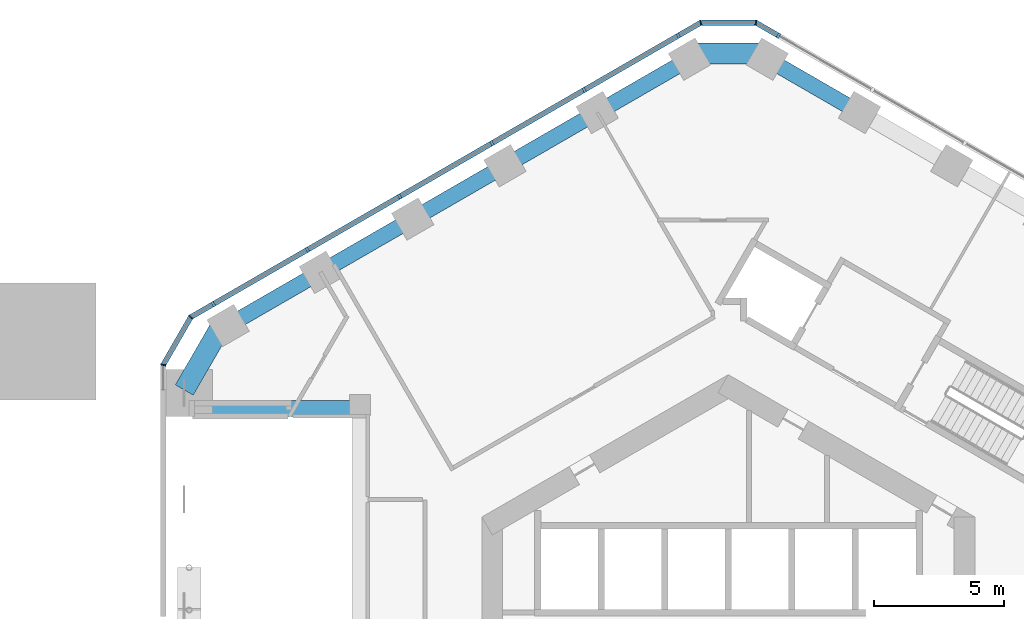
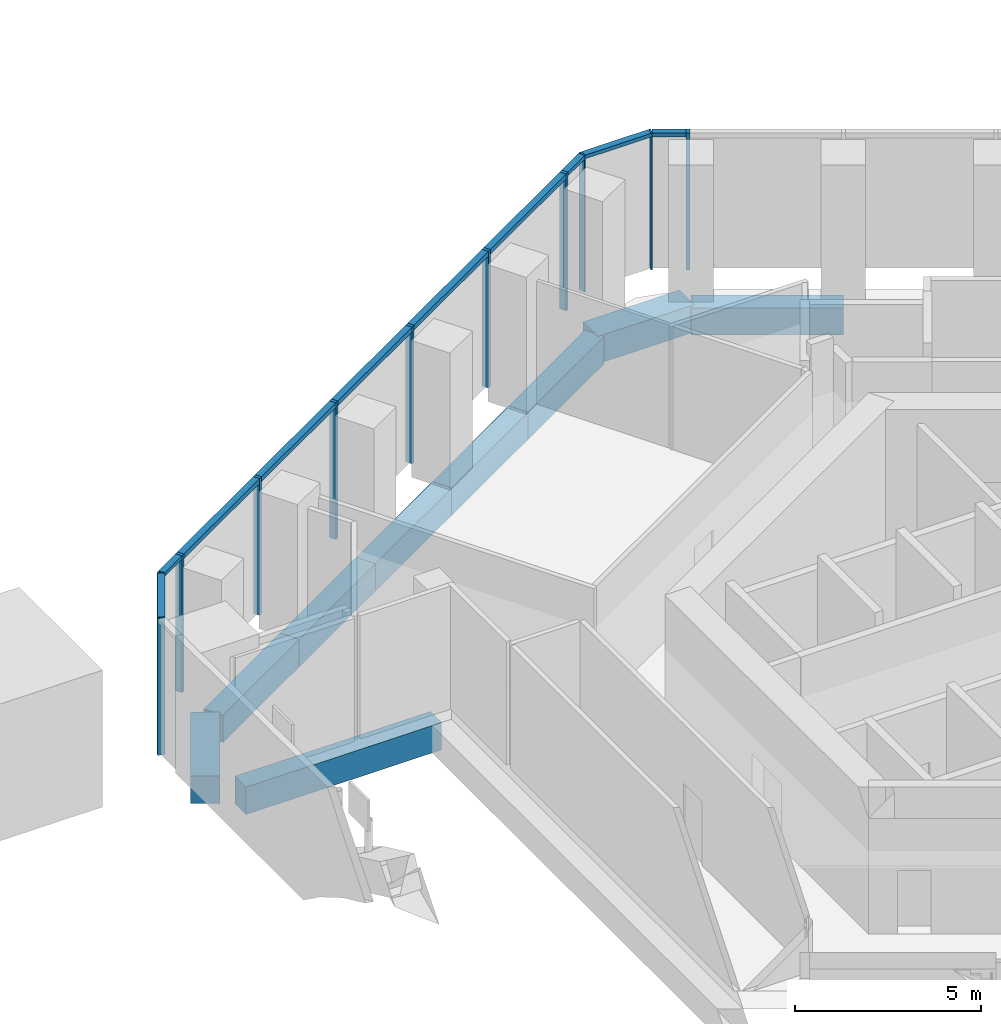
# One storey, part 6 of 14: 17 members, 9 beams, 4 elements without a shape of their own.
"""IFC4 building model written with IfcOpenShell, lengths in metres."""

from ifc_helpers import new_model, si_unit, direction, frame, origin, origin_2d, place, context, subcontext, project, spatial, rectangle, extrude, material, layer, layer_set, material_profile, profile_set, type_object, element, aggregate, save


model = new_model("IFC4")

# Units and contexts
model_context = context("Model", 3, precision=1e-05, world=origin(), true_north=direction((0.0, 1.0)))
body_context = subcontext(model_context, "Body", "Model", "MODEL_VIEW")
ifc_project = project(units=[si_unit("LENGTHUNIT", "METRE"), si_unit("AREAUNIT", "SQUARE_METRE"), si_unit("VOLUMEUNIT", "CUBIC_METRE"), si_unit("PLANEANGLEUNIT", "RADIAN"), si_unit("MASSUNIT", "GRAM", prefix="KILO")], contexts=[model_context])

# Site, building, storey
site_placement = place(None, origin())
site = spatial("IfcSite", under=ifc_project, at=site_placement, CompositionType="ELEMENT")
building_placement = place(site_placement, origin())
building = spatial("IfcBuilding", under=site, at=building_placement, Name="Ayvan Gate Tower", CompositionType="ELEMENT")
storey_placement = place(building_placement, frame((0.0, 0.0, 16.0)))
storey = spatial("IfcBuildingStorey", under=building, at=storey_placement, Name="L03", CompositionType="ELEMENT", Elevation=16.0)

# Beams
ifc_material_1 = material(Name="Concrete C40/50", Category="concrete")
ifc_material_profile_1 = material_profile(ifc_material_1, rectangle(XDim=0.800048828125, YDim=0.89990234375, at=origin_2d()), Name="RC 800x900")
ifc_profile_set_1 = profile_set([ifc_material_profile_1], Name="Concrete C40/50")
beam_type_1 = type_object("IfcBeamType", Name="Corner spandrel beam RC 800x900 C40/50", PredefinedType="BEAM", material=ifc_profile_set_1)
for number, where, z_axis, x_axis, name in (
    (1, (1.5, 23.35400390625, -0.85009765625), (-1.0, 0.0, 0.0), (0.0, -1.0, 0.0), "SB-L03-12"),
    (2, (-19.47509765625, 12.97607421875, -0.85009765625), (-0.499990139034, -0.866031096941, 0.0), (0.866031096941, -0.499990139034, 0.0), "SB-L03-18"),
):
    element("IfcBeam", number, at=place(storey_placement, frame(where, z_axis=z_axis, x_axis=x_axis)), inside=storey, type_object=beam_type_1, Name=name, PredefinedType="BEAM", context=body_context, shape_type="SweptSolid", body=[
        extrude(rectangle(XDim=0.800048828125, YDim=0.89990234375, at=origin_2d()), origin(), (0.0, 0.0, 1.0), 3.0),
    ])
ifc_material_profile_2 = material_profile(ifc_material_1, rectangle(XDim=0.60009765625, YDim=0.89990234375, at=origin_2d()), Name="RC 600x900")
ifc_profile_set_2 = profile_set([ifc_material_profile_2], Name="Concrete C40/50")
beam_type_2 = type_object("IfcBeamType", Name="Opening edge beam RC 600x900 C40/50", PredefinedType="BEAM", material=ifc_profile_set_2)
beam_placement = place(storey_placement, frame((-20.28466796875, 9.66796875, -0.85009765625), z_axis=(1.0, 0.0, 0.0), x_axis=(0.0, 1.0, 0.0)))
element("IfcBeam", 3, at=beam_placement, inside=storey, type_object=beam_type_2, Name="OB-L03-3-A", PredefinedType="BEAM", context=body_context, shape_type="SweptSolid", body=[
    extrude(rectangle(XDim=0.60009765625, YDim=0.89990234375, at=origin_2d()), origin(), (0.0, 0.0, 1.0), 6.084716796875),
])
ifc_material_profile_3 = material_profile(ifc_material_1, rectangle(XDim=0.60009765625, YDim=0.89990234375, at=origin_2d()), Name="RC 600x900")
ifc_profile_set_3 = profile_set([ifc_material_profile_3], Name="Concrete C40/50")
beam_type_3 = type_object("IfcBeamType", Name="Spandrel beam RC 600x900 C40/50", PredefinedType="BEAM", material=ifc_profile_set_3)
for number, where, z_axis, x_axis, name in (
    (4, (5.056884765625, 21.080322265625, -0.85009765625), (-0.866010373586, 0.500026032164, 0.0), (-0.500026032164, -0.866010373586, 0.0), "SB-L03-11"),
    (5, (-1.5, 23.134033203125, -0.85009765625), (-0.866010373586, -0.500026032164, 0.0), (0.500026032164, -0.866010373586, 0.0), "SB-L03-13"),
    (6, (-5.056884765625, 21.080322265625, -0.85009765625), (-0.866036113234, -0.499981450231, 0.0), (0.499981450231, -0.866036113234, 0.0), "SB-L03-14"),
    (7, (-8.61376953125, 19.02685546875, -0.85009765625), (-0.866010373586, -0.500026032164, 0.0), (0.500026032164, -0.866010373586, 0.0), "SB-L03-15"),
    (8, (-12.170654296875, 16.97314453125, -0.85009765625), (-0.866050971923, -0.499955712069, 0.0), (0.499955712069, -0.866050971923, 0.0), "SB-L03-16"),
    (9, (-15.727783203125, 14.919677734375, -0.85009765625), (-0.866010373586, -0.500026032164, 0.0), (0.500026032164, -0.866010373586, 0.0), "SB-L03-17"),
):
    element("IfcBeam", number, at=place(storey_placement, frame(where, z_axis=z_axis, x_axis=x_axis)), inside=storey, type_object=beam_type_3, Name=name, PredefinedType="BEAM", context=body_context, shape_type="SweptSolid", body=[
        extrude(rectangle(XDim=0.60009765625, YDim=0.89990234375, at=origin_2d()), origin(), (0.0, 0.0, 1.0), 4.107177734375),
    ])

# Curtain wall, members
ifc_material_2 = material(Name="Bronze anodised aluminium", Category="aluminium")
ifc_layer_1 = layer(ifc_material_2, 0.199951171875)
ifc_layer_set_1 = layer_set([ifc_layer_1], Name="Bronze anodised aluminium")
curtain_wall_type_1 = type_object("IfcCurtainWallType", Name="Stick curtain wall CW-3", PredefinedType="NOTDEFINED", material=ifc_layer_set_1)
curtain_wall_1_placement = place(storey_placement, origin())
curtain_wall_1 = element("IfcCurtainWall", 10, at=curtain_wall_1_placement, inside=storey, type_object=curtain_wall_type_1, Name="Stick curtain wall CW-3 L03", PredefinedType="NOTDEFINED")
ifc_material_profile_4 = material_profile(ifc_material_2, rectangle(XDim=0.199951171875, YDim=0.10009765625, at=origin_2d()), Name="Stick curtain wall CW-3 mullion 200 x 100")
ifc_profile_set_4 = profile_set([ifc_material_profile_4], Name="Bronze anodised aluminium")
member_type_1 = type_object("IfcMemberType", Name="Stick curtain wall CW-3 mullion 200 x 100", PredefinedType="MULLION", material=ifc_profile_set_4)
member_1_placement = place(storey_placement, frame((-1.92919921875, 24.040771484375, 0.0), z_axis=(0.0, 0.0, 1.0), x_axis=(-0.5, 0.866025403784, 0.0)))
member_1 = element("IfcMember", 11, at=member_1_placement, type_object=member_type_1, Name="CW-3 mullion 1", PredefinedType="MULLION", context=body_context, shape_type="SweptSolid", body=[
    extrude(rectangle(XDim=0.199951171875, YDim=0.10009765625, at=origin_2d()), origin(), (0.0, 0.0, 1.0), 4.5),
])
member_2_placement = place(storey_placement, frame((-5.55712890625, 21.9462890625, 0.0), z_axis=(0.0, 0.0, 1.0), x_axis=(-0.5, 0.866025403784, 0.0)))
member_2 = element("IfcMember", 12, at=member_2_placement, type_object=member_type_1, Name="CW-3 mullion 2", PredefinedType="MULLION", context=body_context, shape_type="SweptSolid", body=[
    extrude(rectangle(XDim=0.199951171875, YDim=0.10009765625, at=origin_2d()), origin(), (0.0, 0.0, 1.0), 4.5),
])
member_3_placement = place(storey_placement, frame((-9.11376953125, 19.892822265625, 0.0), z_axis=(0.0, 0.0, 1.0), x_axis=(-0.5, 0.866025403784, 0.0)))
member_3 = element("IfcMember", 13, at=member_3_placement, type_object=member_type_1, Name="CW-3 mullion 3", PredefinedType="MULLION", context=body_context, shape_type="SweptSolid", body=[
    extrude(rectangle(XDim=0.199951171875, YDim=0.10009765625, at=origin_2d()), origin(), (0.0, 0.0, 1.0), 4.5),
])
member_4_placement = place(storey_placement, frame((-12.670654296875, 17.83935546875, 0.0), z_axis=(0.0, 0.0, 1.0), x_axis=(-0.5, 0.866025403784, 0.0)))
member_4 = element("IfcMember", 14, at=member_4_placement, type_object=member_type_1, Name="CW-3 mullion 4", PredefinedType="MULLION", context=body_context, shape_type="SweptSolid", body=[
    extrude(rectangle(XDim=0.199951171875, YDim=0.10009765625, at=origin_2d()), origin(), (0.0, 0.0, 1.0), 4.5),
])
member_5_placement = place(storey_placement, frame((-16.227294921875, 15.785888671875, 0.0), z_axis=(0.0, 0.0, 1.0), x_axis=(-0.5, 0.866025403784, 0.0)))
member_5 = element("IfcMember", 15, at=member_5_placement, type_object=member_type_1, Name="CW-3 mullion 5", PredefinedType="MULLION", context=body_context, shape_type="SweptSolid", body=[
    extrude(rectangle(XDim=0.199951171875, YDim=0.10009765625, at=origin_2d()), origin(), (0.0, 0.0, 1.0), 4.5),
])
member_6_placement = place(storey_placement, frame((-19.855224609375, 13.691162109375, 0.0), z_axis=(0.0, 0.0, 1.0), x_axis=(-0.5, 0.866025403784, 0.0)))
member_6 = element("IfcMember", 16, at=member_6_placement, type_object=member_type_1, Name="CW-3 mullion 6", PredefinedType="MULLION", context=body_context, shape_type="SweptSolid", body=[
    extrude(rectangle(XDim=0.199951171875, YDim=0.10009765625, at=origin_2d()), origin(), (0.0, 0.0, 1.0), 4.5),
])

# Curtain wall, member
curtain_wall_2_placement = place(storey_placement, origin())
curtain_wall_2 = element("IfcCurtainWall", 17, at=curtain_wall_2_placement, inside=storey, type_object=curtain_wall_type_1, Name="Stick curtain wall CW-3 L03", PredefinedType="NOTDEFINED")
member_7_placement = place(storey_placement, frame((1.92919921875, 24.040771484375, 0.0), z_axis=(0.0, 0.0, 1.0), x_axis=(0.5, 0.866025403784, 0.0)))
member_7 = element("IfcMember", 18, at=member_7_placement, type_object=member_type_1, Name="CW-3 mullion 6", PredefinedType="MULLION", context=body_context, shape_type="SweptSolid", body=[
    extrude(rectangle(XDim=0.199951171875, YDim=0.10009765625, at=origin_2d()), origin(), (0.0, 0.0, 1.0), 4.5),
])
aggregate(curtain_wall_2, [member_7])

# Member
ifc_material_profile_5 = material_profile(ifc_material_2, rectangle(XDim=0.199951171875, YDim=0.159912109375, at=origin_2d()), Name="Stick curtain wall CW-3 transom 200 x 160")
ifc_profile_set_5 = profile_set([ifc_material_profile_5], Name="Bronze anodised aluminium")
member_type_2 = type_object("IfcMemberType", Name="Stick curtain wall CW-3 transom 200 x 160", PredefinedType="USERDEFINED", material=ifc_profile_set_5)
member_8_placement = place(storey_placement, frame((-1.92919921875, 24.040771484375, 4.419921875), z_axis=(-0.866025115303, -0.500000499665, 0.0), x_axis=(0.500000499665, -0.866025115303, 0.0)))
member_8 = element("IfcMember", 19, at=member_8_placement, type_object=member_type_2, Name="CW-3 transom 1", ObjectType="TRANSOM", PredefinedType="USERDEFINED", context=body_context, shape_type="SweptSolid", body=[
    extrude(rectangle(XDim=0.199951171875, YDim=0.159912109375, at=origin_2d()), origin(), (0.0, 0.0, 1.0), 20.69921875),
])

aggregate(curtain_wall_1, [member_1, member_2, member_3, member_4, member_5, member_6, member_8])

# Curtain wall, members
ifc_layer_2 = layer(ifc_material_2, 0.199951171875)
ifc_layer_set_2 = layer_set([ifc_layer_2], Name="Bronze anodised aluminium")
curtain_wall_type_2 = type_object("IfcCurtainWallType", Name="Stick curtain wall CW-6", PredefinedType="NOTDEFINED", material=ifc_layer_set_2)
curtain_wall_3_placement = place(storey_placement, origin())
curtain_wall_3 = element("IfcCurtainWall", 20, at=curtain_wall_3_placement, inside=storey, type_object=curtain_wall_type_2, Name="Stick curtain wall CW-6 L03", PredefinedType="NOTDEFINED")
ifc_material_profile_6 = material_profile(ifc_material_2, rectangle(XDim=0.199951171875, YDim=0.050048828125, at=origin_2d()), Name="Stick curtain wall CW-6 mullion 200 x 50")
ifc_profile_set_6 = profile_set([ifc_material_profile_6], Name="Bronze anodised aluminium")
member_type_3 = type_object("IfcMemberType", Name="Stick curtain wall CW-6 mullion 200 x 50", PredefinedType="MULLION", material=ifc_profile_set_6)
member_9_placement = place(storey_placement, frame((-20.721435546875, 13.191162109375, 0.0), z_axis=(0.0, 0.0, 1.0), x_axis=(-0.707106781187, 0.707106781187, 0.0)))
member_9 = element("IfcMember", 21, at=member_9_placement, type_object=member_type_3, Name="CW-6 mullion 2", PredefinedType="MULLION", context=body_context, shape_type="SweptSolid", body=[
    extrude(rectangle(XDim=0.199951171875, YDim=0.050048828125, at=origin_2d()), origin(), (0.0, 0.0, 1.0), 4.5),
])
member_10_placement = place(storey_placement, frame((-21.78466796875, 11.349609375, 0.0), z_axis=(0.0, 0.0, 1.0), x_axis=(-0.965925826289, 0.258819045103, 0.0)))
member_10 = element("IfcMember", 22, at=member_10_placement, type_object=member_type_3, Name="CW-6 mullion 3", PredefinedType="MULLION", context=body_context, shape_type="SweptSolid", body=[
    extrude(rectangle(XDim=0.199951171875, YDim=0.050048828125, at=origin_2d()), origin(), (0.0, 0.0, 1.0), 4.5),
])

curtain_wall_4_placement = place(storey_placement, origin())
curtain_wall_4 = element("IfcCurtainWall", 23, at=curtain_wall_4_placement, inside=storey, type_object=curtain_wall_type_2, Name="Stick curtain wall CW-6 L03", PredefinedType="NOTDEFINED")
member_11_placement = place(storey_placement, frame((1.063232421875, 24.540771484375, 0.0), z_axis=(0.0, 0.0, 1.0), x_axis=(0.258819045103, 0.965925826289, 0.0)))
member_11 = element("IfcMember", 24, at=member_11_placement, type_object=member_type_3, Name="CW-6 mullion 2", PredefinedType="MULLION", context=body_context, shape_type="SweptSolid", body=[
    extrude(rectangle(XDim=0.199951171875, YDim=0.050048828125, at=origin_2d()), origin(), (0.0, 0.0, 1.0), 4.5),
])
member_12_placement = place(storey_placement, frame((-1.063232421875, 24.540771484375, 0.0), z_axis=(0.0, 0.0, 1.0), x_axis=(-0.258819045103, 0.965925826289, 0.0)))
member_12 = element("IfcMember", 25, at=member_12_placement, type_object=member_type_3, Name="CW-6 mullion 3", PredefinedType="MULLION", context=body_context, shape_type="SweptSolid", body=[
    extrude(rectangle(XDim=0.199951171875, YDim=0.050048828125, at=origin_2d()), origin(), (0.0, 0.0, 1.0), 4.5),
])

# Member
ifc_material_profile_7 = material_profile(ifc_material_2, rectangle(XDim=0.199951171875, YDim=0.1201171875, at=origin_2d()), Name="Stick curtain wall CW-6 transom 200 x 120")
ifc_profile_set_7 = profile_set([ifc_material_profile_7], Name="Bronze anodised aluminium")
member_type_4 = type_object("IfcMemberType", Name="Stick curtain wall CW-6 transom 200 x 120", PredefinedType="USERDEFINED", material=ifc_profile_set_7)
member_13_placement = place(storey_placement, frame((-19.898681640625, 13.666259765625, 4.43994140625), z_axis=(-0.865943820382, -0.500141279983, 0.0), x_axis=(0.500141279983, -0.865943820382, 0.0)))
member_13 = element("IfcMember", 26, at=member_13_placement, type_object=member_type_4, Name="CW-6 transom 1", ObjectType="TRANSOM", PredefinedType="USERDEFINED", context=body_context, shape_type="SweptSolid", body=[
    extrude(rectangle(XDim=0.199951171875, YDim=0.1201171875, at=origin_2d()), origin(), (0.0, 0.0, 1.0), 0.925048828125),
])

member_14_placement = place(storey_placement, frame((-20.73388671875, 13.169677734375, 4.43994140625), z_axis=(-0.500020978615, -0.866013291437, 0.0), x_axis=(0.866013291437, -0.500020978615, 0.0)))
member_14 = element("IfcMember", 27, at=member_14_placement, type_object=member_type_4, Name="CW-6 transom 2", ObjectType="TRANSOM", PredefinedType="USERDEFINED", context=body_context, shape_type="SweptSolid", body=[
    extrude(rectangle(XDim=0.199951171875, YDim=0.1201171875, at=origin_2d()), origin(), (0.0, 0.0, 1.0), 2.07666015625),
])

aggregate(curtain_wall_3, [member_9, member_10, member_13, member_14])

member_15_placement = place(storey_placement, frame((1.885986328125, 24.06591796875, 4.43994140625), z_axis=(-0.866058118026, 0.49994333299, 0.0), x_axis=(-0.49994333299, -0.866058118026, 0.0)))
member_15 = element("IfcMember", 28, at=member_15_placement, type_object=member_type_4, Name="CW-6 transom 1", ObjectType="TRANSOM", PredefinedType="USERDEFINED", context=body_context, shape_type="SweptSolid", body=[
    extrude(rectangle(XDim=0.199951171875, YDim=0.1201171875, at=origin_2d()), origin(), (0.0, 0.0, 1.0), 0.9248046875),
])

member_16_placement = place(storey_placement, frame((1.038330078125, 24.540771484375, 4.43994140625), z_axis=(-1.0, 0.0, 0.0), x_axis=(0.0, -1.0, 0.0)))
member_16 = element("IfcMember", 29, at=member_16_placement, type_object=member_type_4, Name="CW-6 transom 2", ObjectType="TRANSOM", PredefinedType="USERDEFINED", context=body_context, shape_type="SweptSolid", body=[
    extrude(rectangle(XDim=0.199951171875, YDim=0.1201171875, at=origin_2d()), origin(), (0.0, 0.0, 1.0), 2.07666015625),
])

member_17_placement = place(storey_placement, frame((-1.0849609375, 24.5283203125, 4.43994140625), z_axis=(-0.866058118026, -0.49994333299, 0.0), x_axis=(0.49994333299, -0.866058118026, 0.0)))
member_17 = element("IfcMember", 30, at=member_17_placement, type_object=member_type_4, Name="CW-6 transom 3", ObjectType="TRANSOM", PredefinedType="USERDEFINED", context=body_context, shape_type="SweptSolid", body=[
    extrude(rectangle(XDim=0.199951171875, YDim=0.1201171875, at=origin_2d()), origin(), (0.0, 0.0, 1.0), 0.9248046875),
])

aggregate(curtain_wall_4, [member_11, member_12, member_15, member_16, member_17])

save(model, "model.ifc")
